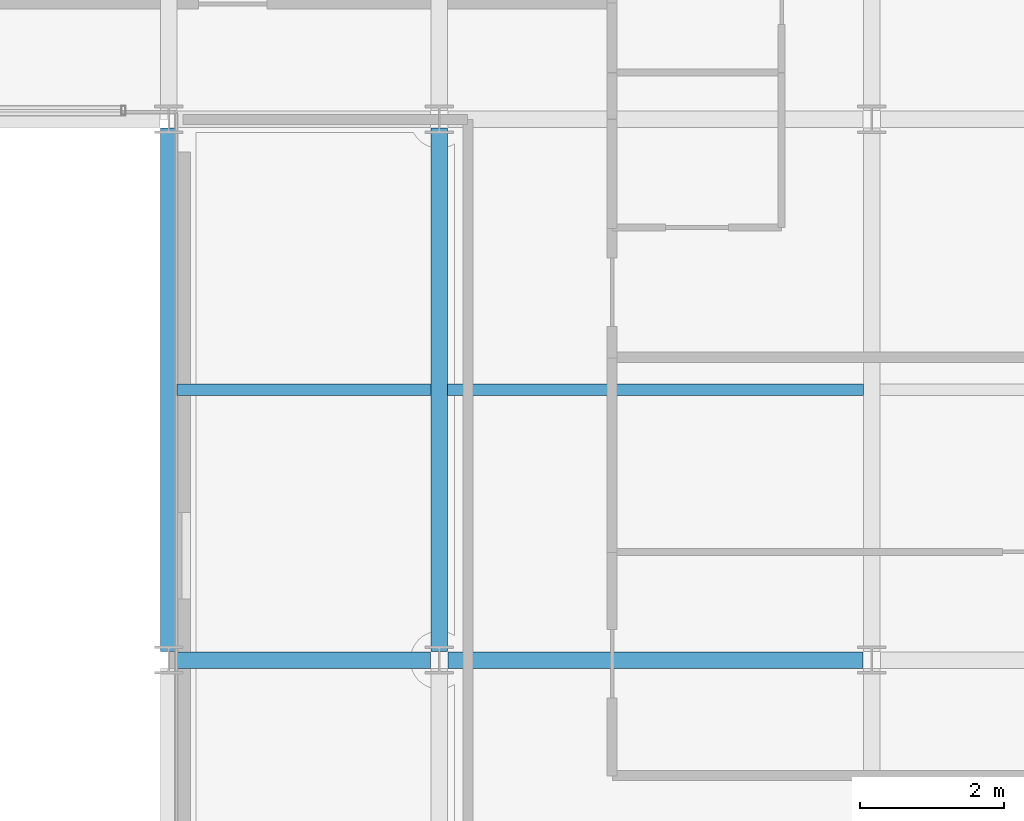
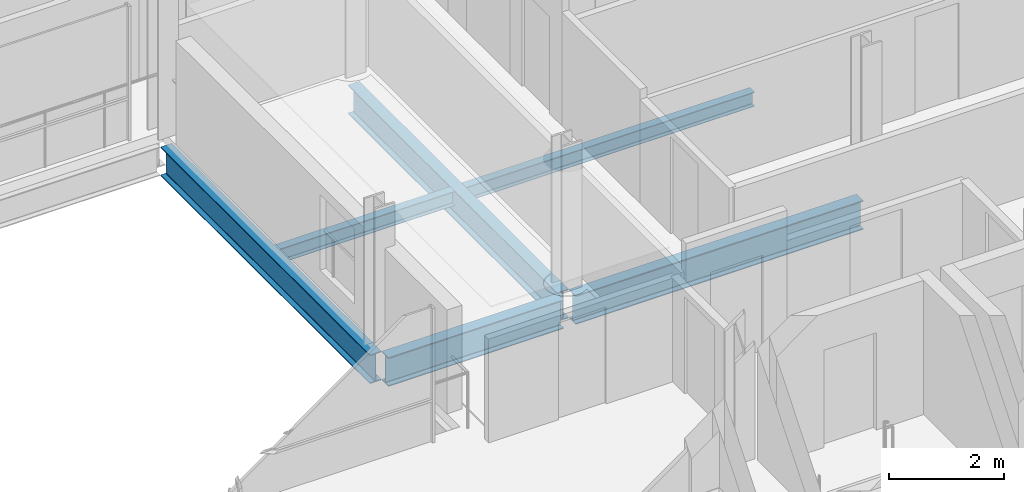
# One storey, part 19 of 36: 6 beams.
"""IFC4 building model written with IfcOpenShell, lengths in metres."""

from ifc_helpers import new_model, si_unit, direction, frame, origin, origin_2d, place, context, subcontext, project, spatial, i_section, extrude, material, material_profile, profile_set, type_object, element, save


model = new_model("IFC4")

# Units and contexts
model_context = context("Model", 3, precision=1e-05, world=origin(), true_north=direction((0.0, 1.0)))
body_context = subcontext(model_context, "Body", "Model", "MODEL_VIEW")
ifc_project = project(units=[si_unit("LENGTHUNIT", "METRE"), si_unit("AREAUNIT", "SQUARE_METRE"), si_unit("VOLUMEUNIT", "CUBIC_METRE"), si_unit("PLANEANGLEUNIT", "RADIAN"), si_unit("MASSUNIT", "GRAM", prefix="KILO")], contexts=[model_context])

# Site, building, storey
site_placement = place(None, origin())
site = spatial("IfcSite", under=ifc_project, at=site_placement, CompositionType="ELEMENT")
building_placement = place(site_placement, origin())
building = spatial("IfcBuilding", under=site, at=building_placement, Name="Brevholm Reach", CompositionType="ELEMENT")
storey_placement = place(building_placement, frame((0.0, 0.0, 175.89990234375)))
storey = spatial("IfcBuildingStorey", under=building, at=storey_placement, Name="L53", CompositionType="ELEMENT", Elevation=175.89990234375)

# Beams
ifc_material_1 = material(Name="Structural Steel S355J2", Category="steel")
ifc_material_profile_1 = material_profile(ifc_material_1, i_section(OverallWidth=0.1650390625, OverallDepth=0.303466796875, WebThickness=0.006103515625, FlangeThickness=0.01025390625, FilletRadius=0.0087890625, at=origin_2d()), Name="UKB 305x165x40")
ifc_profile_set_1 = profile_set([ifc_material_profile_1], Name="Structural Steel S355J2")
beam_type_1 = type_object("IfcBeamType", Name="BM-B305", PredefinedType="BEAM", material=ifc_profile_set_1)
beam_1_placement = place(storey_placement, frame((38.364501953125, 19.75, -0.361572265625), z_axis=(1.0, 0.0, 0.0), x_axis=(0.0, 1.0, 0.0)))
element("IfcBeam", 1, at=beam_1_placement, inside=storey, type_object=beam_type_1, Name="L53 Composite Secondary Floor Beam", PredefinedType="BEAM", context=body_context, shape_type="SweptSolid", body=[
    extrude(i_section(OverallWidth=0.1650390625, OverallDepth=0.303466796875, WebThickness=0.006103515625, FlangeThickness=0.01025390625, FilletRadius=0.0087890625, at=origin_2d()), origin(), (0.0, 0.0, 1.0), 3.52099609375),
])
beam_2_placement = place(storey_placement, frame((42.114501953125, 19.75, -0.361572265625), z_axis=(1.0, 0.0, 0.0), x_axis=(0.0, 1.0, 0.0)))
element("IfcBeam", 2, at=beam_2_placement, inside=storey, type_object=beam_type_1, Name="L53 Composite Secondary Floor Beam", PredefinedType="BEAM", context=body_context, shape_type="SweptSolid", body=[
    extrude(i_section(OverallWidth=0.1650390625, OverallDepth=0.303466796875, WebThickness=0.006103515625, FlangeThickness=0.01025390625, FilletRadius=0.0087890625, at=origin_2d()), origin(), (0.0, 0.0, 1.0), 5.77099609375),
])
ifc_material_2 = material(Name="Structural Steel S355J2", Category="steel")
ifc_material_profile_2 = material_profile(ifc_material_2, i_section(OverallWidth=0.22900390625, OverallDepth=0.6123046875, WebThickness=0.011962890625, FlangeThickness=0.01953125, FilletRadius=0.0126953125, at=origin_2d()), Name="UKB 610x229x125")
ifc_profile_set_2 = profile_set([ifc_material_profile_2], Name="Structural Steel S355J2")
beam_type_2 = type_object("IfcBeamType", Name="BM-SP610", PredefinedType="SPANDREL", material=ifc_profile_set_2)
beam_3_placement = place(storey_placement, frame((38.3701171875, 16.0, -0.51611328125), z_axis=(1.0, 0.0, 0.0), x_axis=(0.0, 1.0, 0.0)))
element("IfcBeam", 3, at=beam_3_placement, inside=storey, type_object=beam_type_2, Name="L53 SP-01 Framing Beam", PredefinedType="SPANDREL", context=body_context, shape_type="SweptSolid", body=[
    extrude(i_section(OverallWidth=0.22900390625, OverallDepth=0.6123046875, WebThickness=0.011962890625, FlangeThickness=0.01953125, FilletRadius=0.0126953125, at=origin_2d()), origin(), (0.0, 0.0, 1.0), 3.509765625),
])
beam_4_placement = place(storey_placement, frame((42.1201171875, 16.0, -0.51611328125), z_axis=(1.0, 0.0, 0.0), x_axis=(0.0, 1.0, 0.0)))
element("IfcBeam", 4, at=beam_4_placement, inside=storey, type_object=beam_type_2, Name="L53 SP-01 Framing Beam", PredefinedType="SPANDREL", context=body_context, shape_type="SweptSolid", body=[
    extrude(i_section(OverallWidth=0.22900390625, OverallDepth=0.6123046875, WebThickness=0.011962890625, FlangeThickness=0.01953125, FilletRadius=0.0126953125, at=origin_2d()), origin(), (0.0, 0.0, 1.0), 5.759765625),
])
for number, where, z_axis, x_axis, name in (
    (5, (38.25, 16.1201171875, -0.51611328125), (0.0, 1.0, 0.0), (-1.0, 0.0, 0.0), "L53 SP-01 Framing Beam"),
    (6, (42.0, 16.1201171875, -0.51611328125), (0.0, 1.0, 0.0), (-1.0, 0.0, 0.0), "L53 SP-01 Framing Beam"),
):
    element("IfcBeam", number, at=place(storey_placement, frame(where, z_axis=z_axis, x_axis=x_axis)), inside=storey, type_object=beam_type_2, Name=name, PredefinedType="SPANDREL", context=body_context, shape_type="SweptSolid", body=[
        extrude(i_section(OverallWidth=0.22900390625, OverallDepth=0.6123046875, WebThickness=0.011962890625, FlangeThickness=0.01953125, FilletRadius=0.0126953125, at=origin_2d()), origin(), (0.0, 0.0, 1.0), 7.259765625),
    ])

save(model, "model.ifc")
